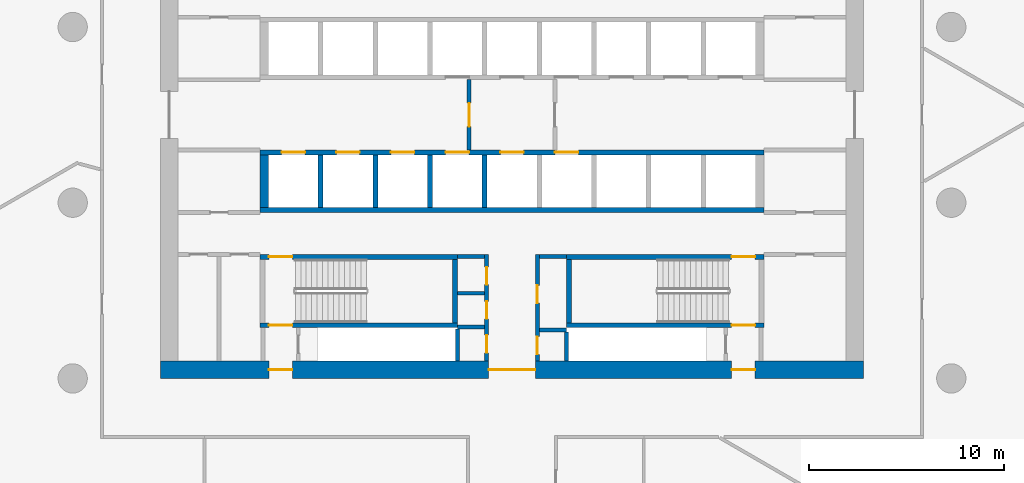
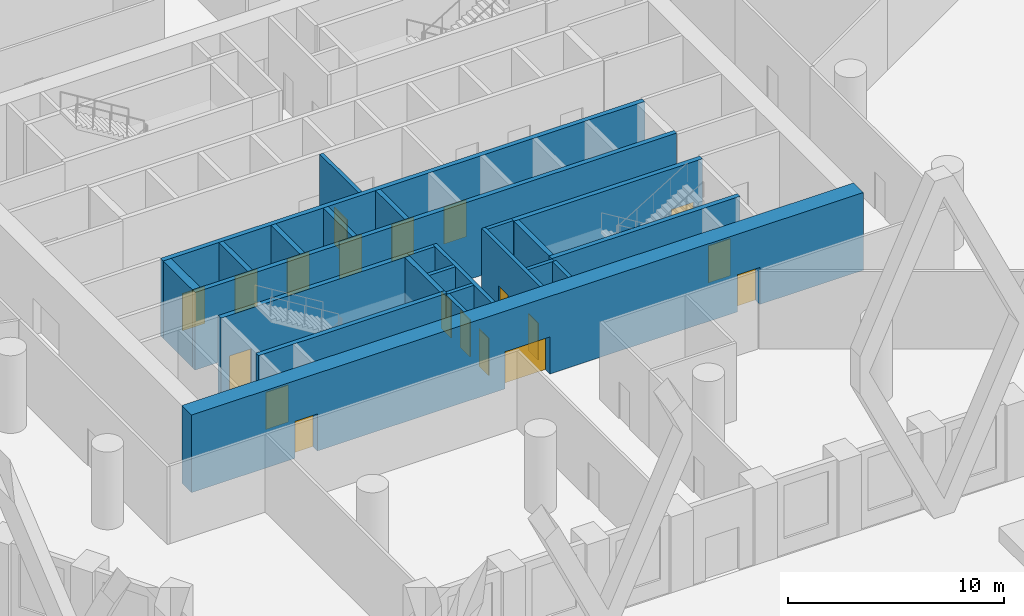
# One storey, part 6 of 27: 24 walls, 19 doors, 19 openings.
"""IFC4 building model written with IfcOpenShell, lengths in metres."""

from ifc_helpers import new_model, si_unit, direction, frame, frame_2d, origin, place, context, subcontext, project, spatial, polyline, rectangle, outline, extrude, material, layer, layer_set, type_object, element, fill, save


model = new_model("IFC4")

# Units and contexts
model_context = context("Model", 3, precision=1e-05, world=origin(), true_north=direction((0.0, 1.0)))
body_context = subcontext(model_context, "Body", "Model", "MODEL_VIEW")
ifc_project = project(units=[si_unit("LENGTHUNIT", "METRE"), si_unit("AREAUNIT", "SQUARE_METRE"), si_unit("VOLUMEUNIT", "CUBIC_METRE"), si_unit("PLANEANGLEUNIT", "RADIAN"), si_unit("MASSUNIT", "GRAM", prefix="KILO")], contexts=[model_context])

# Site, building, storey
site_placement = place(None, origin())
site = spatial("IfcSite", under=ifc_project, at=site_placement, CompositionType="ELEMENT")
building_placement = place(site_placement, origin())
building = spatial("IfcBuilding", under=site, at=building_placement, Name="Dhurran Vertical Campus", CompositionType="ELEMENT")
storey_placement = place(building_placement, frame((0.0, 0.0, 10.800048828125)))
storey = spatial("IfcBuildingStorey", under=building, at=storey_placement, Name="L02", CompositionType="ELEMENT", Elevation=10.800048828125)

# Wall, openings, doors
ifc_material_1 = material(Name="Concrete C60/75", Category="concrete")
ifc_layer_1 = layer(ifc_material_1, 0.89990234375)
ifc_layer_set_1 = layer_set([ifc_layer_1], Name="Concrete C60/75")
wall_type_1 = type_object("IfcWallType", Name="co-CORE-WALL-C0-900", PredefinedType="SHEAR", material=ifc_layer_set_1)
wall_1_placement = place(storey_placement, frame((-18.0, -13.050048828125, 0.0), z_axis=(0.0, 0.0, 1.0), x_axis=(1.0, 0.0, 0.0)))
wall_1 = element("IfcWall", 1, at=wall_1_placement, inside=storey, type_object=wall_type_1, Name="Core wall S L02", PredefinedType="SHEAR", context=body_context, shape_type="SweptSolid", body=[
    extrude(rectangle(XDim=36.0, YDim=0.89990234375, at=frame_2d((18.0, 0.0))), origin(), (0.0, 0.0, 1.0), 4.39990234375),
])
opening_1_placement = place(wall_1_placement, frame((16.800048828125, 0.0, 0.0)))
opening_1 = element("IfcOpeningElement", 2, at=opening_1_placement, cuts=wall_1, Name="Opening CV2", PredefinedType="OPENING", context=body_context, shape_type="SweptSolid", body=[
    extrude(rectangle(XDim=2.39990234375, YDim=2.10009765625, at=frame_2d((1.199951171875, 1.050048828125))), frame((0.0, 0.4599609375, 0.0), z_axis=(0.0, -1.0, 0.0), x_axis=(1.0, 0.0, 0.0)), (0.0, 0.0, 1.0), 0.919921875),
])
opening_2_placement = place(wall_1_placement, frame((5.550048828125, 0.0, 0.0)))
opening_2 = element("IfcOpeningElement", 3, at=opening_2_placement, cuts=wall_1, Name="Opening XD3", PredefinedType="OPENING", context=body_context, shape_type="SweptSolid", body=[
    extrude(rectangle(XDim=1.199951171875, YDim=2.10009765625, at=frame_2d((0.60009765625, 1.050048828125))), frame((0.0, 0.4599609375, 0.0), z_axis=(0.0, -1.0, 0.0), x_axis=(1.0, 0.0, 0.0)), (0.0, 0.0, 1.0), 0.919921875),
])
opening_3_placement = place(wall_1_placement, frame((29.25, 0.0, 0.0)))
opening_3 = element("IfcOpeningElement", 4, at=opening_3_placement, cuts=wall_1, Name="Opening XD4", PredefinedType="OPENING", context=body_context, shape_type="SweptSolid", body=[
    extrude(rectangle(XDim=1.199951171875, YDim=2.10009765625, at=frame_2d((0.60009765625, 1.050048828125))), frame((0.0, 0.4599609375, 0.0), z_axis=(0.0, -1.0, 0.0), x_axis=(1.0, 0.0, 0.0)), (0.0, 0.0, 1.0), 0.919921875),
])
ifc_material_2 = material(Name="Fire-rated glazed door set")
door_type_1 = type_object("IfcDoorType", Name="co-D-LOBBY 2400x2100", OperationType="DOUBLE_DOOR_DOUBLE_SWING", PredefinedType="DOOR", material=ifc_material_2)
door_1_placement = place(opening_1_placement, origin())
door_1 = element("IfcDoor", 5, at=door_1_placement, inside=storey, type_object=door_type_1, Name="Core vestibule door S L02", OperationType="DOUBLE_DOOR_DOUBLE_SWING", OverallHeight=2.10009765625, OverallWidth=2.39990234375, PredefinedType="DOOR", context=body_context, shape_type="SweptSolid", body=[
    extrude(rectangle(XDim=2.39990234375, YDim=2.10009765625, at=frame_2d((1.199951171875, 1.050048828125))), frame((0.0, 0.02490234375, 0.0), z_axis=(0.0, -1.0, 0.0), x_axis=(1.0, 0.0, 0.0)), (0.0, 0.0, 1.0), 0.050048828125),
])
fill(opening_1, door_1)
ifc_material_3 = material(Name="Fire-rated steel door set", Category="steel")
door_type_2 = type_object("IfcDoorType", Name="co-D-STAIR-EXIT 1200x2100", OperationType="SINGLE_SWING_RIGHT", PredefinedType="DOOR", material=ifc_material_3)
door_2_placement = place(opening_2_placement, origin())
door_2 = element("IfcDoor", 6, at=door_2_placement, inside=storey, type_object=door_type_2, Name="Stair ST3 exit door L02", OperationType="SINGLE_SWING_RIGHT", OverallHeight=2.10009765625, OverallWidth=1.199951171875, PredefinedType="DOOR", context=body_context, shape_type="SweptSolid", body=[
    extrude(rectangle(XDim=1.199951171875, YDim=2.10009765625, at=frame_2d((0.60009765625, 1.050048828125))), frame((0.0, 0.02490234375, 0.0), z_axis=(0.0, -1.0, 0.0), x_axis=(1.0, 0.0, 0.0)), (0.0, 0.0, 1.0), 0.050048828125),
])
fill(opening_2, door_2)
door_3_placement = place(opening_3_placement, origin())
door_3 = element("IfcDoor", 7, at=door_3_placement, inside=storey, type_object=door_type_2, Name="Stair ST4 exit door L02", OperationType="SINGLE_SWING_RIGHT", OverallHeight=2.10009765625, OverallWidth=1.199951171875, PredefinedType="DOOR", context=body_context, shape_type="SweptSolid", body=[
    extrude(rectangle(XDim=1.199951171875, YDim=2.10009765625, at=frame_2d((0.60009765625, 1.050048828125))), frame((0.0, 0.02490234375, 0.0), z_axis=(0.0, -1.0, 0.0), x_axis=(1.0, 0.0, 0.0)), (0.0, 0.0, 1.0), 0.050048828125),
])
fill(opening_3, door_3)

# Wall, opening, door
ifc_material_4 = material(Name="Fire-rated masonry blockwork", Category="masonry")
ifc_layer_2 = layer(ifc_material_4, 0.199951171875)
ifc_layer_set_2 = layer_set([ifc_layer_2], Name="Fire-rated masonry blockwork")
wall_type_2 = type_object("IfcWallType", Name="co-FIRE-PARTITION-200", PredefinedType="PARTITIONING", material=ifc_layer_set_2)
wall_2_placement = place(storey_placement, frame((-2.199951171875, -1.800048828125, 0.0), z_axis=(0.0, 0.0, 1.0), x_axis=(0.0, 1.0, 0.0)))
wall_2 = element("IfcWall", 8, at=wall_2_placement, inside=storey, type_object=wall_type_2, Name="Firefighting lobby wall W L02", PredefinedType="PARTITIONING", context=body_context, shape_type="SweptSolid", body=[
    extrude(rectangle(XDim=3.60009765625, YDim=0.199951171875, at=frame_2d((1.800048828125, 0.0))), origin(), (0.0, 0.0, 1.0), 4.39990234375),
])
opening_4_placement = place(wall_2_placement, frame((1.199951171875, 0.0, 0.0)))
opening_4 = element("IfcOpeningElement", 9, at=opening_4_placement, cuts=wall_2, Name="Opening FL1", PredefinedType="OPENING", context=body_context, shape_type="SweptSolid", body=[
    extrude(rectangle(XDim=1.199951171875, YDim=2.10009765625, at=frame_2d((0.60009765625, 1.050048828125))), frame((0.0, 0.10986328125, 0.0), z_axis=(0.0, -1.0, 0.0), x_axis=(1.0, 0.0, 0.0)), (0.0, 0.0, 1.0), 0.219970703125),
])
ifc_material_5 = material(Name="Fire-rated steel door set", Category="steel")
door_type_3 = type_object("IfcDoorType", Name="co-D-FFLOBBY 1200x2100", OperationType="SINGLE_SWING_LEFT", PredefinedType="DOOR", material=ifc_material_5)
door_4_placement = place(opening_4_placement, origin())
door_4 = element("IfcDoor", 10, at=door_4_placement, inside=storey, type_object=door_type_3, Name="Firefighting lobby door W L02", OperationType="SINGLE_SWING_LEFT", OverallHeight=2.10009765625, OverallWidth=1.199951171875, PredefinedType="DOOR", context=body_context, shape_type="SweptSolid", body=[
    extrude(rectangle(XDim=1.199951171875, YDim=2.10009765625, at=frame_2d((0.60009765625, 1.050048828125))), frame((0.0, 0.02490234375, 0.0), z_axis=(0.0, -1.0, 0.0), x_axis=(1.0, 0.0, 0.0)), (0.0, 0.0, 1.0), 0.050048828125),
])
fill(opening_4, door_4)

# Walls
for number, where, z_axis, x_axis, name in (
    (11, (-2.800048828125, -7.25, 0.0), (0.0, 0.0, 1.0), (1.0, 0.0, 0.0), "Core partition sl-SW-S L02"),
    (12, (-2.800048828125, -9.135009765625, 0.0), (0.0, 0.0, 1.0), (1.0, 0.0, 0.0), "Core partition sl-SW-cut0 L02"),
    (13, (-2.800048828125, -10.867431640625, 0.0), (0.0, 0.0, 1.0), (1.0, 0.0, 0.0), "Core partition sl-SW-cut1 L02"),
    (14, (1.39990234375, -7.25, 0.0), (0.0, 0.0, 1.0), (1.0, 0.0, 0.0), "Core partition sl-SE-S L02"),
    (15, (1.39990234375, -11.02490234375, 0.0), (0.0, 0.0, 1.0), (1.0, 0.0, 0.0), "Core partition sl-SE-cut0 L02"),
):
    element("IfcWall", number, at=place(storey_placement, frame(where, z_axis=z_axis, x_axis=x_axis)), inside=storey, type_object=wall_type_2, Name=name, PredefinedType="PARTITIONING", context=body_context, shape_type="SweptSolid", body=[
        extrude(rectangle(XDim=1.400146484375, YDim=0.199951171875, at=frame_2d((0.7001953125, 0.0))), origin(), (0.0, 0.0, 1.0), 4.39990234375),
    ])

# Wall, openings, doors
wall_3_placement = place(storey_placement, frame((-1.300048828125, -12.60009765625, 0.0), z_axis=(0.0, 0.0, 1.0), x_axis=(0.0, 1.0, 0.0)))
wall_3 = element("IfcWall", 16, at=wall_3_placement, inside=storey, type_object=wall_type_2, Name="Core partition vest-SW L02", PredefinedType="PARTITIONING", context=body_context, shape_type="SweptSolid", body=[
    extrude(rectangle(XDim=5.4501953125, YDim=0.199951171875, at=frame_2d((2.72509765625, 0.0))), origin(), (0.0, 0.0, 1.0), 4.39990234375),
])
opening_5_placement = place(wall_3_placement, frame((0.416259765625, 0.0, 0.0)))
opening_5 = element("IfcOpeningElement", 17, at=opening_5_placement, cuts=wall_3, Name="Opening PD02-C1", PredefinedType="OPENING", context=body_context, shape_type="SweptSolid", body=[
    extrude(rectangle(XDim=0.89990234375, YDim=2.10009765625, at=frame_2d((0.449951171875, 1.050048828125))), frame((0.0, 0.10986328125, 0.0), z_axis=(0.0, -1.0, 0.0), x_axis=(1.0, 0.0, 0.0)), (0.0, 0.0, 1.0), 0.219970703125),
])
opening_6_placement = place(wall_3_placement, frame((2.148681640625, 0.0, 0.0)))
opening_6 = element("IfcOpeningElement", 18, at=opening_6_placement, cuts=wall_3, Name="Opening PD02-C2", PredefinedType="OPENING", context=body_context, shape_type="SweptSolid", body=[
    extrude(rectangle(XDim=0.89990234375, YDim=2.10009765625, at=frame_2d((0.449951171875, 1.050048828125))), frame((0.0, 0.10986328125, 0.0), z_axis=(0.0, -1.0, 0.0), x_axis=(1.0, 0.0, 0.0)), (0.0, 0.0, 1.0), 0.219970703125),
])
opening_7_placement = place(wall_3_placement, frame((3.907470703125, 0.0, 0.0)))
opening_7 = element("IfcOpeningElement", 19, at=opening_7_placement, cuts=wall_3, Name="Opening PD02-C3", PredefinedType="OPENING", context=body_context, shape_type="SweptSolid", body=[
    extrude(rectangle(XDim=0.89990234375, YDim=2.10009765625, at=frame_2d((0.449951171875, 1.050048828125))), frame((0.0, 0.10986328125, 0.0), z_axis=(0.0, -1.0, 0.0), x_axis=(1.0, 0.0, 0.0)), (0.0, 0.0, 1.0), 0.219970703125),
])
ifc_material_6 = material(Name="Fire-rated timber door set", Category="wood")
door_type_4 = type_object("IfcDoorType", Name="co-D-ROOM 900x2100", OperationType="SINGLE_SWING_LEFT", PredefinedType="DOOR", material=ifc_material_6)
door_5_placement = place(opening_5_placement, origin())
door_5 = element("IfcDoor", 20, at=door_5_placement, inside=storey, type_object=door_type_4, Name="Pantry door L02", OperationType="SINGLE_SWING_LEFT", OverallHeight=2.10009765625, OverallWidth=0.89990234375, PredefinedType="DOOR", context=body_context, shape_type="SweptSolid", body=[
    extrude(rectangle(XDim=0.89990234375, YDim=2.10009765625, at=frame_2d((0.449951171875, 1.050048828125))), frame((0.0, 0.02490234375, 0.0), z_axis=(0.0, -1.0, 0.0), x_axis=(1.0, 0.0, 0.0)), (0.0, 0.0, 1.0), 0.050048828125),
])
fill(opening_5, door_5)
door_6_placement = place(opening_6_placement, origin())
door_6 = element("IfcDoor", 21, at=door_6_placement, inside=storey, type_object=door_type_4, Name="Communications room door L02", OperationType="SINGLE_SWING_LEFT", OverallHeight=2.10009765625, OverallWidth=0.89990234375, PredefinedType="DOOR", context=body_context, shape_type="SweptSolid", body=[
    extrude(rectangle(XDim=0.89990234375, YDim=2.10009765625, at=frame_2d((0.449951171875, 1.050048828125))), frame((0.0, 0.02490234375, 0.0), z_axis=(0.0, -1.0, 0.0), x_axis=(1.0, 0.0, 0.0)), (0.0, 0.0, 1.0), 0.050048828125),
])
fill(opening_6, door_6)
door_7_placement = place(opening_7_placement, origin())
door_7 = element("IfcDoor", 22, at=door_7_placement, inside=storey, type_object=door_type_4, Name="Store door L02", OperationType="SINGLE_SWING_LEFT", OverallHeight=2.10009765625, OverallWidth=0.89990234375, PredefinedType="DOOR", context=body_context, shape_type="SweptSolid", body=[
    extrude(rectangle(XDim=0.89990234375, YDim=2.10009765625, at=frame_2d((0.449951171875, 1.050048828125))), frame((0.0, 0.02490234375, 0.0), z_axis=(0.0, -1.0, 0.0), x_axis=(1.0, 0.0, 0.0)), (0.0, 0.0, 1.0), 0.050048828125),
])
fill(opening_7, door_7)

wall_4_placement = place(storey_placement, frame((1.300048828125, -12.60009765625, 0.0), z_axis=(0.0, 0.0, 1.0), x_axis=(0.0, 1.0, 0.0)))
wall_4 = element("IfcWall", 23, at=wall_4_placement, inside=storey, type_object=wall_type_2, Name="Core partition vest-SE L02", PredefinedType="PARTITIONING", context=body_context, shape_type="SweptSolid", body=[
    extrude(rectangle(XDim=5.4501953125, YDim=0.199951171875, at=frame_2d((2.72509765625, 0.0))), origin(), (0.0, 0.0, 1.0), 4.39990234375),
])
opening_8_placement = place(wall_4_placement, frame((0.33740234375, 0.0, 0.0)))
opening_8 = element("IfcOpeningElement", 24, at=opening_8_placement, cuts=wall_4, Name="Opening PD02-C4", PredefinedType="OPENING", context=body_context, shape_type="SweptSolid", body=[
    extrude(rectangle(XDim=0.89990234375, YDim=2.10009765625, at=frame_2d((0.449951171875, 1.050048828125))), frame((0.0, 0.10986328125, 0.0), z_axis=(0.0, -1.0, 0.0), x_axis=(1.0, 0.0, 0.0)), (0.0, 0.0, 1.0), 0.219970703125),
])
opening_9_placement = place(wall_4_placement, frame((2.96240234375, 0.0, 0.0)))
opening_9 = element("IfcOpeningElement", 25, at=opening_9_placement, cuts=wall_4, Name="Opening PD02-C5", PredefinedType="OPENING", context=body_context, shape_type="SweptSolid", body=[
    extrude(rectangle(XDim=0.89990234375, YDim=2.10009765625, at=frame_2d((0.449951171875, 1.050048828125))), frame((0.0, 0.10986328125, 0.0), z_axis=(0.0, -1.0, 0.0), x_axis=(1.0, 0.0, 0.0)), (0.0, 0.0, 1.0), 0.219970703125),
])
door_8_placement = place(opening_8_placement, origin())
door_8 = element("IfcDoor", 26, at=door_8_placement, inside=storey, type_object=door_type_4, Name="Plant room door L02", OperationType="SINGLE_SWING_LEFT", OverallHeight=2.10009765625, OverallWidth=0.89990234375, PredefinedType="DOOR", context=body_context, shape_type="SweptSolid", body=[
    extrude(rectangle(XDim=0.89990234375, YDim=2.10009765625, at=frame_2d((0.449951171875, 1.050048828125))), frame((0.0, 0.02490234375, 0.0), z_axis=(0.0, -1.0, 0.0), x_axis=(1.0, 0.0, 0.0)), (0.0, 0.0, 1.0), 0.050048828125),
])
fill(opening_8, door_8)
door_9_placement = place(opening_9_placement, origin())
door_9 = element("IfcDoor", 27, at=door_9_placement, inside=storey, type_object=door_type_4, Name="Waste room door L02", OperationType="SINGLE_SWING_LEFT", OverallHeight=2.10009765625, OverallWidth=0.89990234375, PredefinedType="DOOR", context=body_context, shape_type="SweptSolid", body=[
    extrude(rectangle(XDim=0.89990234375, YDim=2.10009765625, at=frame_2d((0.449951171875, 1.050048828125))), frame((0.0, 0.02490234375, 0.0), z_axis=(0.0, -1.0, 0.0), x_axis=(1.0, 0.0, 0.0)), (0.0, 0.0, 1.0), 0.050048828125),
])
fill(opening_9, door_9)

# Walls
wall_5_placement = place(storey_placement, frame((-2.800048828125, -12.59912109375, 0.0), z_axis=(0.0, 0.0, 1.0), x_axis=(0.0, 1.0, 0.0)))
element("IfcWall", 28, at=wall_5_placement, inside=storey, type_object=wall_type_2, Name="Riser enclosure wall L02", PredefinedType="PARTITIONING", context=body_context, shape_type="SweptSolid", body=[
    extrude(rectangle(XDim=1.630615234375, YDim=0.199951171875, at=frame_2d((0.8154296875, 0.0))), origin(), (0.0, 0.0, 1.0), 4.39990234375),
])
wall_6_placement = place(storey_placement, frame((2.800048828125, -11.1259765625, 0.0), z_axis=(0.0, 0.0, 1.0), x_axis=(0.0, -1.0, 0.0)))
element("IfcWall", 29, at=wall_6_placement, inside=storey, type_object=wall_type_2, Name="Riser enclosure wall L02", PredefinedType="PARTITIONING", context=body_context, shape_type="SweptSolid", body=[
    extrude(rectangle(XDim=1.47314453125, YDim=0.199951171875, at=frame_2d((0.736572265625, 0.0))), origin(), (0.0, 0.0, 1.0), 4.39990234375),
])

# Wall, openings, doors
ifc_material_7 = material(Name="Concrete C50/60", Category="concrete")
ifc_layer_3 = layer(ifc_material_7, 0.25)
ifc_layer_set_3 = layer_set([ifc_layer_3], Name="Concrete C50/60")
wall_type_3 = type_object("IfcWallType", Name="co-SHAFT-FRONT-250", PredefinedType="SHEAR", material=ifc_layer_set_3)
wall_7_placement = place(storey_placement, frame((-12.89990234375, -1.925048828125, 0.0), z_axis=(0.0, 0.0, 1.0), x_axis=(1.0, 0.0, 0.0)))
wall_7 = element("IfcWall", 30, at=wall_7_placement, inside=storey, type_object=wall_type_3, Name="Lift landing wall S L02", PredefinedType="SHEAR", context=body_context, shape_type="SweptSolid", body=[
    extrude(rectangle(XDim=25.7998046875, YDim=0.25, at=frame_2d((12.89990234375, 0.0))), origin(), (0.0, 0.0, 1.0), 4.39990234375),
])
opening_10_placement = place(wall_7_placement, frame((1.10009765625, 0.0, 0.0)))
opening_10 = element("IfcOpeningElement", 31, at=opening_10_placement, cuts=wall_7, Name="Opening LD", PredefinedType="OPENING", context=body_context, shape_type="SweptSolid", body=[
    extrude(rectangle(XDim=1.199951171875, YDim=2.10009765625, at=frame_2d((0.60009765625, 1.050048828125))), frame((0.0, 0.135009765625, 0.0), z_axis=(0.0, -1.0, 0.0), x_axis=(1.0, 0.0, 0.0)), (0.0, 0.0, 1.0), 0.27001953125),
])
opening_11_placement = place(wall_7_placement, frame((3.89990234375, 0.0, 0.0)))
opening_11 = element("IfcOpeningElement", 32, at=opening_11_placement, cuts=wall_7, Name="Opening LD", PredefinedType="OPENING", context=body_context, shape_type="SweptSolid", body=[
    extrude(rectangle(XDim=1.199951171875, YDim=2.10009765625, at=frame_2d((0.60009765625, 1.050048828125))), frame((0.0, 0.135009765625, 0.0), z_axis=(0.0, -1.0, 0.0), x_axis=(1.0, 0.0, 0.0)), (0.0, 0.0, 1.0), 0.27001953125),
])
opening_12_placement = place(wall_7_placement, frame((6.699951171875, 0.0, 0.0)))
opening_12 = element("IfcOpeningElement", 33, at=opening_12_placement, cuts=wall_7, Name="Opening LD", PredefinedType="OPENING", context=body_context, shape_type="SweptSolid", body=[
    extrude(rectangle(XDim=1.199951171875, YDim=2.10009765625, at=frame_2d((0.60009765625, 1.050048828125))), frame((0.0, 0.135009765625, 0.0), z_axis=(0.0, -1.0, 0.0), x_axis=(1.0, 0.0, 0.0)), (0.0, 0.0, 1.0), 0.27001953125),
])
opening_13_placement = place(wall_7_placement, frame((9.5, 0.0, 0.0)))
opening_13 = element("IfcOpeningElement", 34, at=opening_13_placement, cuts=wall_7, Name="Opening LD", PredefinedType="OPENING", context=body_context, shape_type="SweptSolid", body=[
    extrude(rectangle(XDim=1.199951171875, YDim=2.10009765625, at=frame_2d((0.60009765625, 1.050048828125))), frame((0.0, 0.135009765625, 0.0), z_axis=(0.0, -1.0, 0.0), x_axis=(1.0, 0.0, 0.0)), (0.0, 0.0, 1.0), 0.27001953125),
])
opening_14_placement = place(wall_7_placement, frame((12.300048828125, 0.0, 0.0)))
opening_14 = element("IfcOpeningElement", 35, at=opening_14_placement, cuts=wall_7, Name="Opening LD", PredefinedType="OPENING", context=body_context, shape_type="SweptSolid", body=[
    extrude(rectangle(XDim=1.199951171875, YDim=2.10009765625, at=frame_2d((0.60009765625, 1.050048828125))), frame((0.0, 0.135009765625, 0.0), z_axis=(0.0, -1.0, 0.0), x_axis=(1.0, 0.0, 0.0)), (0.0, 0.0, 1.0), 0.27001953125),
])
opening_15_placement = place(wall_7_placement, frame((15.10009765625, 0.0, 0.0)))
opening_15 = element("IfcOpeningElement", 36, at=opening_15_placement, cuts=wall_7, Name="Opening LD", PredefinedType="OPENING", context=body_context, shape_type="SweptSolid", body=[
    extrude(rectangle(XDim=1.199951171875, YDim=2.10009765625, at=frame_2d((0.60009765625, 1.050048828125))), frame((0.0, 0.135009765625, 0.0), z_axis=(0.0, -1.0, 0.0), x_axis=(1.0, 0.0, 0.0)), (0.0, 0.0, 1.0), 0.27001953125),
])
ifc_material_8 = material(Name="Stainless steel landing door", Category="steel")
door_type_5 = type_object("IfcDoorType", Name="co-D-LANDING 1200x2100", OperationType="DOUBLE_DOOR_SLIDING", PredefinedType="DOOR", material=ifc_material_8)
door_10_placement = place(opening_10_placement, origin())
door_10 = element("IfcDoor", 37, at=door_10_placement, inside=storey, type_object=door_type_5, Name="Landing door LR5 L02", OperationType="DOUBLE_DOOR_SLIDING", OverallHeight=2.10009765625, OverallWidth=1.199951171875, PredefinedType="DOOR", context=body_context, shape_type="SweptSolid", body=[
    extrude(rectangle(XDim=1.199951171875, YDim=2.10009765625, at=frame_2d((0.60009765625, 1.050048828125))), frame((0.0, 0.02490234375, 0.0), z_axis=(0.0, -1.0, 0.0), x_axis=(1.0, 0.0, 0.0)), (0.0, 0.0, 1.0), 0.050048828125),
])
fill(opening_10, door_10)
door_11_placement = place(opening_11_placement, origin())
door_11 = element("IfcDoor", 38, at=door_11_placement, inside=storey, type_object=door_type_5, Name="Landing door LR6 L02", OperationType="DOUBLE_DOOR_SLIDING", OverallHeight=2.10009765625, OverallWidth=1.199951171875, PredefinedType="DOOR", context=body_context, shape_type="SweptSolid", body=[
    extrude(rectangle(XDim=1.199951171875, YDim=2.10009765625, at=frame_2d((0.60009765625, 1.050048828125))), frame((0.0, 0.02490234375, 0.0), z_axis=(0.0, -1.0, 0.0), x_axis=(1.0, 0.0, 0.0)), (0.0, 0.0, 1.0), 0.050048828125),
])
fill(opening_11, door_11)
door_12_placement = place(opening_12_placement, origin())
door_12 = element("IfcDoor", 39, at=door_12_placement, inside=storey, type_object=door_type_5, Name="Landing door LR7 L02", OperationType="DOUBLE_DOOR_SLIDING", OverallHeight=2.10009765625, OverallWidth=1.199951171875, PredefinedType="DOOR", context=body_context, shape_type="SweptSolid", body=[
    extrude(rectangle(XDim=1.199951171875, YDim=2.10009765625, at=frame_2d((0.60009765625, 1.050048828125))), frame((0.0, 0.02490234375, 0.0), z_axis=(0.0, -1.0, 0.0), x_axis=(1.0, 0.0, 0.0)), (0.0, 0.0, 1.0), 0.050048828125),
])
fill(opening_12, door_12)
door_13_placement = place(opening_13_placement, origin())
door_13 = element("IfcDoor", 40, at=door_13_placement, inside=storey, type_object=door_type_5, Name="Landing door LR8 L02", OperationType="DOUBLE_DOOR_SLIDING", OverallHeight=2.10009765625, OverallWidth=1.199951171875, PredefinedType="DOOR", context=body_context, shape_type="SweptSolid", body=[
    extrude(rectangle(XDim=1.199951171875, YDim=2.10009765625, at=frame_2d((0.60009765625, 1.050048828125))), frame((0.0, 0.02490234375, 0.0), z_axis=(0.0, -1.0, 0.0), x_axis=(1.0, 0.0, 0.0)), (0.0, 0.0, 1.0), 0.050048828125),
])
fill(opening_13, door_13)
door_14_placement = place(opening_14_placement, origin())
door_14 = element("IfcDoor", 41, at=door_14_placement, inside=storey, type_object=door_type_5, Name="Landing door FF2 L02", OperationType="DOUBLE_DOOR_SLIDING", OverallHeight=2.10009765625, OverallWidth=1.199951171875, PredefinedType="DOOR", context=body_context, shape_type="SweptSolid", body=[
    extrude(rectangle(XDim=1.199951171875, YDim=2.10009765625, at=frame_2d((0.60009765625, 1.050048828125))), frame((0.0, 0.02490234375, 0.0), z_axis=(0.0, -1.0, 0.0), x_axis=(1.0, 0.0, 0.0)), (0.0, 0.0, 1.0), 0.050048828125),
])
fill(opening_14, door_14)
door_15_placement = place(opening_15_placement, origin())
door_15 = element("IfcDoor", 42, at=door_15_placement, inside=storey, type_object=door_type_5, Name="Landing door SV1 L02", OperationType="DOUBLE_DOOR_SLIDING", OverallHeight=2.10009765625, OverallWidth=1.199951171875, PredefinedType="DOOR", context=body_context, shape_type="SweptSolid", body=[
    extrude(rectangle(XDim=1.199951171875, YDim=2.10009765625, at=frame_2d((0.60009765625, 1.050048828125))), frame((0.0, 0.02490234375, 0.0), z_axis=(0.0, -1.0, 0.0), x_axis=(1.0, 0.0, 0.0)), (0.0, 0.0, 1.0), 0.050048828125),
])
fill(opening_15, door_15)

# Walls
ifc_material_9 = material(Name="Concrete C50/60", Category="concrete")
ifc_layer_4 = layer(ifc_material_9, 0.25)
ifc_layer_set_4 = layer_set([ifc_layer_4], Name="Concrete C50/60")
wall_type_4 = type_object("IfcWallType", Name="co-SHAFT-MASS-250", PredefinedType="SHEAR", material=ifc_layer_set_4)
wall_8_placement = place(storey_placement, origin())
element("IfcWall", 43, at=wall_8_placement, inside=storey, type_object=wall_type_4, Name="Lift shaft wall S L02 1", PredefinedType="SHEAR", context=body_context, shape_type="SweptSolid", body=[
    extrude(outline(polyline([(-12.89990234375, -5.0), (12.89990234375, -5.0), (12.89990234375, -4.75), (-12.89990234375, -4.75), (-12.89990234375, -5.0)])), origin(), (0.0, 0.0, 1.0), 4.39990234375),
])
wall_9_placement = place(storey_placement, origin())
element("IfcWall", 44, at=wall_9_placement, inside=storey, type_object=wall_type_4, Name="Lift shaft wall S L02 2", PredefinedType="SHEAR", context=body_context, shape_type="SweptSolid", body=[
    extrude(outline(polyline([(-12.89990234375, -4.75), (-12.47509765625, -4.75), (-12.47509765625, -2.050048828125), (-12.89990234375, -2.050048828125), (-12.89990234375, -4.75)])), origin(), (0.0, 0.0, 1.0), 4.39990234375),
])
wall_10_placement = place(storey_placement, origin())
element("IfcWall", 45, at=wall_10_placement, inside=storey, type_object=wall_type_4, Name="Lift shaft wall S L02 3", PredefinedType="SHEAR", context=body_context, shape_type="SweptSolid", body=[
    extrude(outline(polyline([(-9.925048828125, -4.75), (-9.675048828125, -4.75), (-9.675048828125, -2.050048828125), (-9.925048828125, -2.050048828125), (-9.925048828125, -4.75)])), origin(), (0.0, 0.0, 1.0), 4.39990234375),
])
wall_11_placement = place(storey_placement, origin())
element("IfcWall", 46, at=wall_11_placement, inside=storey, type_object=wall_type_4, Name="Lift shaft wall S L02 4", PredefinedType="SHEAR", context=body_context, shape_type="SweptSolid", body=[
    extrude(outline(polyline([(-7.125, -4.75), (-6.875, -4.75), (-6.875, -2.050048828125), (-7.125, -2.050048828125), (-7.125, -4.75)])), origin(), (0.0, 0.0, 1.0), 4.39990234375),
])
wall_12_placement = place(storey_placement, origin())
element("IfcWall", 47, at=wall_12_placement, inside=storey, type_object=wall_type_4, Name="Lift shaft wall S L02 5", PredefinedType="SHEAR", context=body_context, shape_type="SweptSolid", body=[
    extrude(outline(polyline([(-4.324951171875, -4.75), (-4.074951171875, -4.75), (-4.074951171875, -2.050048828125), (-4.324951171875, -2.050048828125), (-4.324951171875, -4.75)])), origin(), (0.0, 0.0, 1.0), 4.39990234375),
])
wall_13_placement = place(storey_placement, origin())
element("IfcWall", 48, at=wall_13_placement, inside=storey, type_object=wall_type_4, Name="Lift shaft wall S L02 6", PredefinedType="SHEAR", context=body_context, shape_type="SweptSolid", body=[
    extrude(outline(polyline([(-1.52490234375, -4.75), (-1.27490234375, -4.75), (-1.27490234375, -2.050048828125), (-1.52490234375, -2.050048828125), (-1.52490234375, -4.75)])), origin(), (0.0, 0.0, 1.0), 4.39990234375),
])

# Wall, opening, door
ifc_material_10 = material(Name="Concrete C40/50", Category="concrete")
ifc_layer_5 = layer(ifc_material_10, 0.25)
ifc_layer_set_5 = layer_set([ifc_layer_5], Name="Concrete C40/50")
wall_type_5 = type_object("IfcWallType", Name="co-STAIR-WALL-250", PredefinedType="SHEAR", material=ifc_layer_set_5)
wall_14_placement = place(storey_placement, frame((-12.89990234375, -10.77490234375, 0.0), z_axis=(0.0, 0.0, 1.0), x_axis=(1.0, 0.0, 0.0)))
wall_14 = element("IfcWall", 49, at=wall_14_placement, inside=storey, type_object=wall_type_5, Name="Stair ST3 enclosure wall L02", PredefinedType="SHEAR", context=body_context, shape_type="SweptSolid", body=[
    extrude(rectangle(XDim=10.099853515625, YDim=0.25, at=frame_2d((5.0498046875, 0.0))), origin(), (0.0, 0.0, 1.0), 4.39990234375),
])
opening_16_placement = place(wall_14_placement, frame((0.449951171875, 0.0, 0.0)))
opening_16 = element("IfcOpeningElement", 50, at=opening_16_placement, cuts=wall_14, Name="Opening XS3", PredefinedType="OPENING", context=body_context, shape_type="SweptSolid", body=[
    extrude(rectangle(XDim=1.199951171875, YDim=2.10009765625, at=frame_2d((0.60009765625, 1.050048828125))), frame((0.0, 0.135009765625, 0.0), z_axis=(0.0, -1.0, 0.0), x_axis=(1.0, 0.0, 0.0)), (0.0, 0.0, 1.0), 0.27001953125),
])
door_16_placement = place(opening_16_placement, origin())
door_16 = element("IfcDoor", 51, at=door_16_placement, inside=storey, type_object=door_type_2, Name="Stair ST3 discharge door L02", OperationType="SINGLE_SWING_RIGHT", OverallHeight=2.10009765625, OverallWidth=1.199951171875, PredefinedType="DOOR", context=body_context, shape_type="SweptSolid", body=[
    extrude(rectangle(XDim=1.199951171875, YDim=2.10009765625, at=frame_2d((0.60009765625, 1.050048828125))), frame((0.0, 0.02490234375, 0.0), z_axis=(0.0, -1.0, 0.0), x_axis=(1.0, 0.0, 0.0)), (0.0, 0.0, 1.0), 0.050048828125),
])
fill(opening_16, door_16)

wall_15_placement = place(storey_placement, frame((-12.89990234375, -7.27490234375, 0.0), z_axis=(0.0, 0.0, 1.0), x_axis=(1.0, 0.0, 0.0)))
wall_15 = element("IfcWall", 52, at=wall_15_placement, inside=storey, type_object=wall_type_5, Name="Stair ST3 enclosure wall L02", PredefinedType="SHEAR", context=body_context, shape_type="SweptSolid", body=[
    extrude(rectangle(XDim=10.099853515625, YDim=0.25, at=frame_2d((5.0498046875, 0.0))), origin(), (0.0, 0.0, 1.0), 4.39990234375),
])
opening_17_placement = place(wall_15_placement, frame((0.449951171875, 0.0, 0.0)))
opening_17 = element("IfcOpeningElement", 53, at=opening_17_placement, cuts=wall_15, Name="Opening SD3", PredefinedType="OPENING", context=body_context, shape_type="SweptSolid", body=[
    extrude(rectangle(XDim=1.199951171875, YDim=2.10009765625, at=frame_2d((0.60009765625, 1.050048828125))), frame((0.0, 0.135009765625, 0.0), z_axis=(0.0, -1.0, 0.0), x_axis=(1.0, 0.0, 0.0)), (0.0, 0.0, 1.0), 0.27001953125),
])
ifc_material_11 = material(Name="Fire-rated steel door set", Category="steel")
door_type_6 = type_object("IfcDoorType", Name="co-D-STAIR 1200x2100", OperationType="SINGLE_SWING_LEFT", PredefinedType="DOOR", material=ifc_material_11)
door_17_placement = place(opening_17_placement, origin())
door_17 = element("IfcDoor", 54, at=door_17_placement, inside=storey, type_object=door_type_6, Name="Stair ST3 door L02", OperationType="SINGLE_SWING_LEFT", OverallHeight=2.10009765625, OverallWidth=1.199951171875, PredefinedType="DOOR", context=body_context, shape_type="SweptSolid", body=[
    extrude(rectangle(XDim=1.199951171875, YDim=2.10009765625, at=frame_2d((0.60009765625, 1.050048828125))), frame((0.0, 0.02490234375, 0.0), z_axis=(0.0, -1.0, 0.0), x_axis=(1.0, 0.0, 0.0)), (0.0, 0.0, 1.0), 0.050048828125),
])
fill(opening_17, door_17)

# Wall
wall_16_placement = place(storey_placement, frame((-2.925048828125, -10.64990234375, 0.0), z_axis=(0.0, 0.0, 1.0), x_axis=(0.0, 1.0, 0.0)))
element("IfcWall", 55, at=wall_16_placement, inside=storey, type_object=wall_type_5, Name="Stair ST3 enclosure wall L02", PredefinedType="SHEAR", context=body_context, shape_type="SweptSolid", body=[
    extrude(rectangle(XDim=3.25, YDim=0.25, at=frame_2d((1.625, 0.0))), origin(), (0.0, 0.0, 1.0), 4.39990234375),
])

# Wall, opening, door
wall_17_placement = place(storey_placement, frame((2.800048828125, -10.77490234375, 0.0), z_axis=(0.0, 0.0, 1.0), x_axis=(1.0, 0.0, 0.0)))
wall_17 = element("IfcWall", 56, at=wall_17_placement, inside=storey, type_object=wall_type_5, Name="Stair ST4 enclosure wall L02", PredefinedType="SHEAR", context=body_context, shape_type="SweptSolid", body=[
    extrude(rectangle(XDim=10.099853515625, YDim=0.25, at=frame_2d((5.0498046875, 0.0))), origin(), (0.0, 0.0, 1.0), 4.39990234375),
])
opening_18_placement = place(wall_17_placement, frame((8.449951171875, 0.0, 0.0)))
opening_18 = element("IfcOpeningElement", 57, at=opening_18_placement, cuts=wall_17, Name="Opening XS4", PredefinedType="OPENING", context=body_context, shape_type="SweptSolid", body=[
    extrude(rectangle(XDim=1.199951171875, YDim=2.10009765625, at=frame_2d((0.60009765625, 1.050048828125))), frame((0.0, 0.135009765625, 0.0), z_axis=(0.0, -1.0, 0.0), x_axis=(1.0, 0.0, 0.0)), (0.0, 0.0, 1.0), 0.27001953125),
])
door_18_placement = place(opening_18_placement, origin())
door_18 = element("IfcDoor", 58, at=door_18_placement, inside=storey, type_object=door_type_2, Name="Stair ST4 discharge door L02", OperationType="SINGLE_SWING_RIGHT", OverallHeight=2.10009765625, OverallWidth=1.199951171875, PredefinedType="DOOR", context=body_context, shape_type="SweptSolid", body=[
    extrude(rectangle(XDim=1.199951171875, YDim=2.10009765625, at=frame_2d((0.60009765625, 1.050048828125))), frame((0.0, 0.02490234375, 0.0), z_axis=(0.0, -1.0, 0.0), x_axis=(1.0, 0.0, 0.0)), (0.0, 0.0, 1.0), 0.050048828125),
])
fill(opening_18, door_18)

wall_18_placement = place(storey_placement, frame((2.800048828125, -7.27490234375, 0.0), z_axis=(0.0, 0.0, 1.0), x_axis=(1.0, 0.0, 0.0)))
wall_18 = element("IfcWall", 59, at=wall_18_placement, inside=storey, type_object=wall_type_5, Name="Stair ST4 enclosure wall L02", PredefinedType="SHEAR", context=body_context, shape_type="SweptSolid", body=[
    extrude(rectangle(XDim=10.099853515625, YDim=0.25, at=frame_2d((5.0498046875, 0.0))), origin(), (0.0, 0.0, 1.0), 4.39990234375),
])
opening_19_placement = place(wall_18_placement, frame((8.449951171875, 0.0, 0.0)))
opening_19 = element("IfcOpeningElement", 60, at=opening_19_placement, cuts=wall_18, Name="Opening SD4", PredefinedType="OPENING", context=body_context, shape_type="SweptSolid", body=[
    extrude(rectangle(XDim=1.199951171875, YDim=2.10009765625, at=frame_2d((0.60009765625, 1.050048828125))), frame((0.0, 0.135009765625, 0.0), z_axis=(0.0, -1.0, 0.0), x_axis=(1.0, 0.0, 0.0)), (0.0, 0.0, 1.0), 0.27001953125),
])
door_19_placement = place(opening_19_placement, origin())
door_19 = element("IfcDoor", 61, at=door_19_placement, inside=storey, type_object=door_type_6, Name="Stair ST4 door L02", OperationType="SINGLE_SWING_LEFT", OverallHeight=2.10009765625, OverallWidth=1.199951171875, PredefinedType="DOOR", context=body_context, shape_type="SweptSolid", body=[
    extrude(rectangle(XDim=1.199951171875, YDim=2.10009765625, at=frame_2d((0.60009765625, 1.050048828125))), frame((0.0, 0.02490234375, 0.0), z_axis=(0.0, -1.0, 0.0), x_axis=(1.0, 0.0, 0.0)), (0.0, 0.0, 1.0), 0.050048828125),
])
fill(opening_19, door_19)

# Wall
wall_19_placement = place(storey_placement, frame((2.925048828125, -10.64990234375, 0.0), z_axis=(0.0, 0.0, 1.0), x_axis=(0.0, 1.0, 0.0)))
element("IfcWall", 62, at=wall_19_placement, inside=storey, type_object=wall_type_5, Name="Stair ST4 enclosure wall L02", PredefinedType="SHEAR", context=body_context, shape_type="SweptSolid", body=[
    extrude(rectangle(XDim=3.25, YDim=0.25, at=frame_2d((1.625, 0.0))), origin(), (0.0, 0.0, 1.0), 4.39990234375),
])

save(model, "model.ifc")
